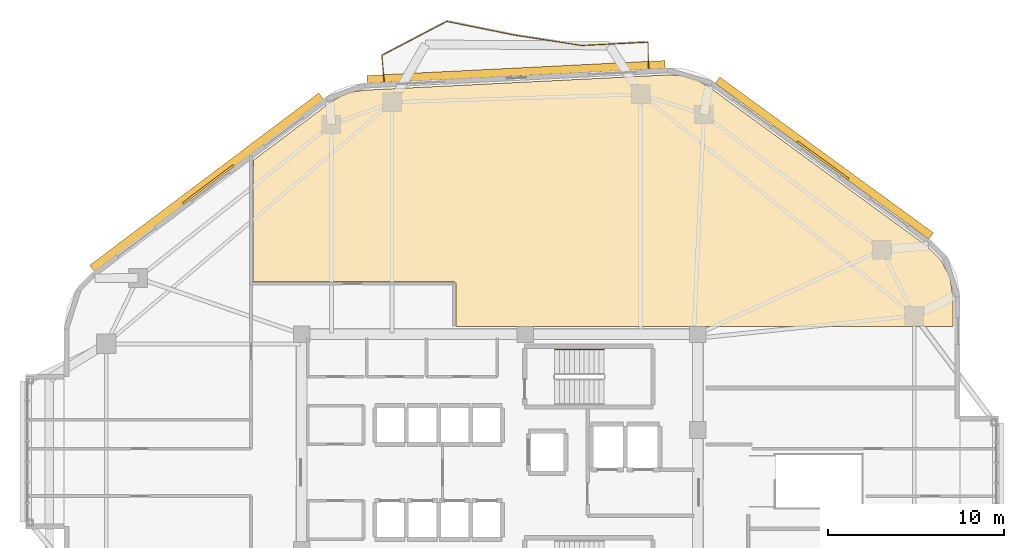
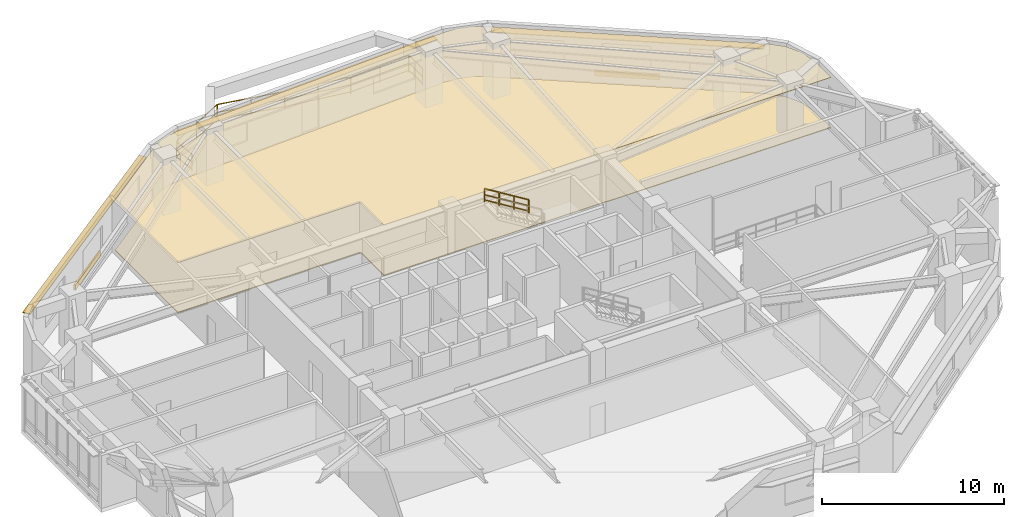
# One storey, part 14 of 14: 7 railings, 5 shading devices, 2 coverings.
"""IFC4 building model written with IfcOpenShell, lengths in metres."""

from ifc_helpers import new_model, si_unit, direction, frame, origin, origin_2d, place, context, subcontext, project, spatial, polyline, rectangle, outline, extrude, material, layer, layer_set, type_object, element, save


model = new_model("IFC4")

# Units and contexts
model_context = context("Model", 3, precision=1e-05, world=origin(), true_north=direction((0.0, 1.0)))
body_context = subcontext(model_context, "Body", "Model", "MODEL_VIEW")
ifc_project = project(units=[si_unit("LENGTHUNIT", "METRE"), si_unit("AREAUNIT", "SQUARE_METRE"), si_unit("VOLUMEUNIT", "CUBIC_METRE"), si_unit("PLANEANGLEUNIT", "RADIAN"), si_unit("MASSUNIT", "GRAM", prefix="KILO")], contexts=[model_context])

# Site, building, storey
site_placement = place(None, origin())
site = spatial("IfcSite", under=ifc_project, at=site_placement, CompositionType="ELEMENT")
building_placement = place(site_placement, origin())
building = spatial("IfcBuilding", under=site, at=building_placement, Name="Zulverin Broadcast Headquarters", CompositionType="ELEMENT")
storey_placement = place(building_placement, frame((0.0, 0.0, 128.800048828125)))
storey = spatial("IfcBuildingStorey", under=building, at=storey_placement, Name="L32", CompositionType="ELEMENT", Elevation=128.800048828125)

# Coverings
ifc_material_1 = material(Name="Perforated pale-metal acoustic baffle ceiling", Category="aluminium")
ifc_layer_1 = layer(ifc_material_1, 0.0400390625, Name="Perforated pale-metal acoustic baffle ceiling", Category="aluminium")
ifc_layer_set_1 = layer_set([ifc_layer_1], Name="Perforated pale-metal acoustic baffle ceiling")
covering_type_1 = type_object("IfcCoveringType", Name="COV-CEIL-ACOU", PredefinedType="CEILING", material=ifc_layer_set_1)
covering_1_placement = place(storey_placement, frame((0.0, 0.0, 3.35986328125)))
element("IfcCovering", 1, at=covering_1_placement, inside=storey, type_object=covering_type_1, Name="L32 Acoustic Baffle Ceiling 01", PredefinedType="CEILING", context=body_context, shape_type="SweptSolid", body=[
    extrude(outline(polyline([(27.951904296875, 46.6201171875), (27.343994140625, 46.251953125), (22.971923828125, 42.964111328125), (22.968017578125, 36.072021484375), (34.360107421875, 36.068115234375), (34.3759765625, 36.068115234375), (34.387939453125, 36.068115234375), (34.39990234375, 36.06396484375), (34.407958984375, 36.06396484375), (34.419921875, 36.06005859375), (34.427978515625, 36.055908203125), (34.43603515625, 36.052001953125), (34.447998046875, 36.0439453125), (34.4599609375, 36.035888671875), (34.468017578125, 36.028076171875), (34.47607421875, 36.02001953125), (34.48388671875, 36.011962890625), (34.491943359375, 36.0), (34.5, 35.988037109375), (34.50390625, 35.97998046875), (34.508056640625, 35.971923828125), (34.511962890625, 35.964111328125), (34.51611328125, 35.951904296875), (34.51611328125, 35.944091796875), (34.52001953125, 35.931884765625), (34.52001953125, 35.919921875), (34.52001953125, 33.52001953125), (48.568115234375, 33.52001953125), (48.580078125, 33.52001953125), (48.592041015625, 33.51611328125), (48.60009765625, 33.51611328125), (48.612060546875, 33.511962890625), (48.6201171875, 33.508056640625), (48.635986328125, 33.5), (62.800048828125, 33.5), (62.800048828125, 35.199951171875), (62.6240234375, 36.30810546875), (62.1279296875, 37.280029296875), (61.3359375, 38.075927734375), (48.904052734375, 47.14794921875), (48.196044921875, 47.552001953125), (47.43603515625, 47.77587890625), (46.6240234375, 47.83203125), (29.30810546875, 46.9599609375), (28.60009765625, 46.85595703125), (27.951904296875, 46.6201171875)])), origin(), (0.0, 0.0, 1.0), 0.0400390625),
])
ifc_material_2 = material(Name="Anti-static broadcast raised access flooring", Category="stone")
ifc_layer_2 = layer(ifc_material_2, 0.050048828125, Name="Anti-static broadcast raised access flooring", Category="stone")
ifc_layer_set_2 = layer_set([ifc_layer_2], Name="Anti-static broadcast raised access flooring")
covering_type_2 = type_object("IfcCoveringType", Name="COV-FLR-RAISED", PredefinedType="FLOORING", material=ifc_layer_set_2)
covering_2_placement = place(storey_placement, origin())
element("IfcCovering", 2, at=covering_2_placement, inside=storey, type_object=covering_type_2, Name="L32 Broadcast Raised Access Flooring 01", PredefinedType="FLOORING", context=body_context, shape_type="SweptSolid", body=[
    extrude(outline(polyline([(27.951904296875, 46.6201171875), (27.343994140625, 46.251953125), (22.971923828125, 42.964111328125), (22.968017578125, 36.072021484375), (34.360107421875, 36.068115234375), (34.3759765625, 36.068115234375), (34.387939453125, 36.068115234375), (34.39990234375, 36.06396484375), (34.407958984375, 36.06396484375), (34.419921875, 36.06005859375), (34.427978515625, 36.055908203125), (34.43603515625, 36.052001953125), (34.447998046875, 36.0439453125), (34.4599609375, 36.035888671875), (34.468017578125, 36.028076171875), (34.47607421875, 36.02001953125), (34.48388671875, 36.011962890625), (34.491943359375, 36.0), (34.5, 35.988037109375), (34.50390625, 35.97998046875), (34.508056640625, 35.971923828125), (34.511962890625, 35.964111328125), (34.51611328125, 35.951904296875), (34.51611328125, 35.944091796875), (34.52001953125, 35.931884765625), (34.52001953125, 35.919921875), (34.52001953125, 33.52001953125), (48.568115234375, 33.52001953125), (48.580078125, 33.52001953125), (48.592041015625, 33.51611328125), (48.60009765625, 33.51611328125), (48.612060546875, 33.511962890625), (48.6201171875, 33.508056640625), (48.635986328125, 33.5), (62.800048828125, 33.5), (62.800048828125, 35.199951171875), (62.6240234375, 36.30810546875), (62.1279296875, 37.280029296875), (61.3359375, 38.075927734375), (48.904052734375, 47.14794921875), (48.196044921875, 47.552001953125), (47.43603515625, 47.77587890625), (46.6240234375, 47.83203125), (29.30810546875, 46.9599609375), (28.60009765625, 46.85595703125), (27.951904296875, 46.6201171875)])), origin(), (0.0, 0.0, 1.0), 0.050048828125),
])

# Railings
ifc_material_3 = material(Name="Brushed stainless steel & laminated glass balustrade", Category="steel")
railing_type_1 = type_object("IfcRailingType", Name="RL-GUARD-1150", PredefinedType="GUARDRAIL", material=ifc_material_3)
railing_1_placement = place(storey_placement, frame((45.464599609375, 48.212646484375, 0.0)))
element("IfcRailing", 3, at=railing_1_placement, inside=storey, type_object=railing_type_1, Name="L32 Vertical-Forest Balcony Guardrail BAL_N Segment 01", PredefinedType="GUARDRAIL", context=body_context, shape_type="SweptSolid", body=[
    extrude(rectangle(XDim=0.048095703125, YDim=0.048095703125, at=origin_2d()), frame((0.0, 0.0, 1.1259765625), z_axis=(-0.009658167329, 0.999953358814, 0.0), x_axis=(-0.999953358814, -0.009658167329, 0.0)), (0.0, 0.0, 1.0), 1.466064453125),
    extrude(rectangle(XDim=0.0419921875, YDim=0.0419921875, at=origin_2d()), frame((0.0, 0.0, 0.597900390625), z_axis=(-0.009658167329, 0.999953358814, 0.0), x_axis=(-0.999953358814, -0.009658167329, 0.0)), (0.0, 0.0, 1.0), 1.466064453125),
    extrude(rectangle(XDim=0.0419921875, YDim=0.0419921875, at=origin_2d()), frame((0.0, 0.0, 0.1201171875), z_axis=(-0.009658167329, 0.999953358814, 0.0), x_axis=(-0.999953358814, -0.009658167329, 0.0)), (0.0, 0.0, 1.0), 1.466064453125),
    extrude(rectangle(XDim=0.0419921875, YDim=0.0419921875, at=origin_2d()), origin(), (0.0, 0.0, 1.0), 1.101806640625),
    extrude(rectangle(XDim=0.0419921875, YDim=0.0419921875, at=origin_2d()), frame((-0.01416015625, 1.466064453125, 0.0)), (0.0, 0.0, 1.0), 1.101806640625),
])
railing_2_placement = place(storey_placement, frame((45.435302734375, 49.693115234375, 0.0)))
element("IfcRailing", 4, at=railing_2_placement, inside=storey, type_object=railing_type_1, Name="L32 Vertical-Forest Balcony Guardrail BAL_N Segment 02", PredefinedType="GUARDRAIL", context=body_context, shape_type="SweptSolid", body=[
    extrude(rectangle(XDim=0.048095703125, YDim=0.048095703125, at=origin_2d()), frame((0.0, 0.0, 1.1259765625), z_axis=(-0.998743105092, -0.050121951583, 0.0), x_axis=(0.050121951583, -0.998743105092, 0.0)), (0.0, 0.0, 1.0), 3.76513671875),
    extrude(rectangle(XDim=0.0419921875, YDim=0.0419921875, at=origin_2d()), frame((0.0, 0.0, 0.597900390625), z_axis=(-0.998743105092, -0.050121951583, 0.0), x_axis=(0.050121951583, -0.998743105092, 0.0)), (0.0, 0.0, 1.0), 3.76513671875),
    extrude(rectangle(XDim=0.0419921875, YDim=0.0419921875, at=origin_2d()), frame((0.0, 0.0, 0.1201171875), z_axis=(-0.998743105092, -0.050121951583, 0.0), x_axis=(0.050121951583, -0.998743105092, 0.0)), (0.0, 0.0, 1.0), 3.76513671875),
    extrude(rectangle(XDim=0.0419921875, YDim=0.0419921875, at=origin_2d()), origin(), (0.0, 0.0, 1.0), 1.101806640625),
    extrude(rectangle(XDim=0.0419921875, YDim=0.0419921875, at=origin_2d()), frame((-1.88037109375, -0.09423828125, 0.0)), (0.0, 0.0, 1.0), 1.101806640625),
    extrude(rectangle(XDim=0.0419921875, YDim=0.0419921875, at=origin_2d()), frame((-3.760498046875, -0.188720703125, 0.0)), (0.0, 0.0, 1.0), 1.101806640625),
])
railing_3_placement = place(storey_placement, frame((41.64501953125, 49.505859375, 0.0)))
element("IfcRailing", 5, at=railing_3_placement, inside=storey, type_object=railing_type_1, Name="L32 Vertical-Forest Balcony Guardrail BAL_N Segment 03", PredefinedType="GUARDRAIL", context=body_context, shape_type="SweptSolid", body=[
    extrude(rectangle(XDim=0.048095703125, YDim=0.048095703125, at=origin_2d()), frame((0.0, 0.0, 1.1259765625), z_axis=(-0.988198600876, 0.153178083376, 0.0), x_axis=(-0.153178083376, -0.988198600876, 0.0)), (0.0, 0.0, 1.0), 3.845947265625),
    extrude(rectangle(XDim=0.0419921875, YDim=0.0419921875, at=origin_2d()), frame((0.0, 0.0, 0.597900390625), z_axis=(-0.988198600876, 0.153178083376, 0.0), x_axis=(-0.153178083376, -0.988198600876, 0.0)), (0.0, 0.0, 1.0), 3.845947265625),
    extrude(rectangle(XDim=0.0419921875, YDim=0.0419921875, at=origin_2d()), frame((0.0, 0.0, 0.1201171875), z_axis=(-0.988198600876, 0.153178083376, 0.0), x_axis=(-0.153178083376, -0.988198600876, 0.0)), (0.0, 0.0, 1.0), 3.845947265625),
    extrude(rectangle(XDim=0.0419921875, YDim=0.0419921875, at=origin_2d()), origin(), (0.0, 0.0, 1.0), 1.101806640625),
    extrude(rectangle(XDim=0.0419921875, YDim=0.0419921875, at=origin_2d()), frame((-1.900390625, 0.29443359375, 0.0)), (0.0, 0.0, 1.0), 1.101806640625),
    extrude(rectangle(XDim=0.0419921875, YDim=0.0419921875, at=origin_2d()), frame((-3.800537109375, 0.589111328125, 0.0)), (0.0, 0.0, 1.0), 1.101806640625),
])
railing_4_placement = place(storey_placement, frame((37.81494140625, 50.100341796875, 0.0)))
element("IfcRailing", 6, at=railing_4_placement, inside=storey, type_object=railing_type_1, Name="L32 Vertical-Forest Balcony Guardrail BAL_N Segment 04", PredefinedType="GUARDRAIL", context=body_context, shape_type="SweptSolid", body=[
    extrude(rectangle(XDim=0.048095703125, YDim=0.048095703125, at=origin_2d()), frame((0.0, 0.0, 1.1259765625), z_axis=(-0.980094573766, 0.198531172552, 0.0), x_axis=(-0.198531172552, -0.980094573766, 0.0)), (0.0, 0.0, 1.0), 3.88720703125),
    extrude(rectangle(XDim=0.0419921875, YDim=0.0419921875, at=origin_2d()), frame((0.0, 0.0, 0.597900390625), z_axis=(-0.980094573766, 0.198531172552, 0.0), x_axis=(-0.198531172552, -0.980094573766, 0.0)), (0.0, 0.0, 1.0), 3.88720703125),
    extrude(rectangle(XDim=0.0419921875, YDim=0.0419921875, at=origin_2d()), frame((0.0, 0.0, 0.1201171875), z_axis=(-0.980094573766, 0.198531172552, 0.0), x_axis=(-0.198531172552, -0.980094573766, 0.0)), (0.0, 0.0, 1.0), 3.88720703125),
    extrude(rectangle(XDim=0.0419921875, YDim=0.0419921875, at=origin_2d()), origin(), (0.0, 0.0, 1.0), 1.101806640625),
    extrude(rectangle(XDim=0.0419921875, YDim=0.0419921875, at=origin_2d()), frame((-1.90478515625, 0.3857421875, 0.0)), (0.0, 0.0, 1.0), 1.101806640625),
    extrude(rectangle(XDim=0.0419921875, YDim=0.0419921875, at=origin_2d()), frame((-3.809814453125, 0.771728515625, 0.0)), (0.0, 0.0, 1.0), 1.101806640625),
])
railing_5_placement = place(storey_placement, frame((33.977294921875, 50.867919921875, 0.0)))
element("IfcRailing", 7, at=railing_5_placement, inside=storey, type_object=railing_type_1, Name="L32 Vertical-Forest Balcony Guardrail BAL_N Segment 05", PredefinedType="GUARDRAIL", context=body_context, shape_type="SweptSolid", body=[
    extrude(rectangle(XDim=0.048095703125, YDim=0.048095703125, at=origin_2d()), frame((0.0, 0.0, 1.1259765625), z_axis=(-0.885626540533, -0.464398138136, 0.0), x_axis=(0.464398138136, -0.885626540533, 0.0)), (0.0, 0.0, 1.0), 4.151123046875),
    extrude(rectangle(XDim=0.0419921875, YDim=0.0419921875, at=origin_2d()), frame((0.0, 0.0, 0.597900390625), z_axis=(-0.885626540533, -0.464398138136, 0.0), x_axis=(0.464398138136, -0.885626540533, 0.0)), (0.0, 0.0, 1.0), 4.151123046875),
    extrude(rectangle(XDim=0.0419921875, YDim=0.0419921875, at=origin_2d()), frame((0.0, 0.0, 0.1201171875), z_axis=(-0.885626540533, -0.464398138136, 0.0), x_axis=(0.464398138136, -0.885626540533, 0.0)), (0.0, 0.0, 1.0), 4.151123046875),
    extrude(rectangle(XDim=0.0419921875, YDim=0.0419921875, at=origin_2d()), origin(), (0.0, 0.0, 1.0), 1.101806640625),
    extrude(rectangle(XDim=0.0419921875, YDim=0.0419921875, at=origin_2d()), frame((-1.838134765625, -0.9638671875, 0.0)), (0.0, 0.0, 1.0), 1.101806640625),
    extrude(rectangle(XDim=0.0419921875, YDim=0.0419921875, at=origin_2d()), frame((-3.67626953125, -1.927734375, 0.0)), (0.0, 0.0, 1.0), 1.101806640625),
])
railing_6_placement = place(storey_placement, frame((30.289306640625, 48.918212890625, 0.0)))
element("IfcRailing", 8, at=railing_6_placement, inside=storey, type_object=railing_type_1, Name="L32 Vertical-Forest Balcony Guardrail BAL_N Segment 06", PredefinedType="GUARDRAIL", context=body_context, shape_type="SweptSolid", body=[
    extrude(rectangle(XDim=0.048095703125, YDim=0.048095703125, at=origin_2d()), frame((0.0, 0.0, 1.1259765625), z_axis=(0.090415638869, -0.995904117999, 0.0), x_axis=(0.995904117999, 0.090415638869, 0.0)), (0.0, 0.0, 1.0), 1.46630859375),
    extrude(rectangle(XDim=0.0419921875, YDim=0.0419921875, at=origin_2d()), frame((0.0, 0.0, 0.597900390625), z_axis=(0.090415638869, -0.995904117999, 0.0), x_axis=(0.995904117999, 0.090415638869, 0.0)), (0.0, 0.0, 1.0), 1.46630859375),
    extrude(rectangle(XDim=0.0419921875, YDim=0.0419921875, at=origin_2d()), frame((0.0, 0.0, 0.1201171875), z_axis=(0.090415638869, -0.995904117999, 0.0), x_axis=(0.995904117999, 0.090415638869, 0.0)), (0.0, 0.0, 1.0), 1.46630859375),
    extrude(rectangle(XDim=0.0419921875, YDim=0.0419921875, at=origin_2d()), origin(), (0.0, 0.0, 1.0), 1.101806640625),
    extrude(rectangle(XDim=0.0419921875, YDim=0.0419921875, at=origin_2d()), frame((0.132568359375, -1.460205078125, 0.0)), (0.0, 0.0, 1.0), 1.101806640625),
])
ifc_material_4 = material(Name="Brushed stainless steel 48 mm handrail", Category="steel")
railing_type_2 = type_object("IfcRailingType", Name="RL-ST-HAND", PredefinedType="HANDRAIL", material=ifc_material_4)
railing_7_placement = place(storey_placement, frame((42.929931640625, 32.199951171875, 2.07275390625)))
element("IfcRailing", 9, at=railing_7_placement, inside=storey, type_object=railing_type_2, Name="L32 ST-1 stair handrail 2", PredefinedType="HANDRAIL", context=body_context, shape_type="SweptSolid", body=[
    extrude(rectangle(XDim=0.048095703125, YDim=0.048095703125, at=origin_2d()), frame((0.0, 0.0, 0.8759765625), z_axis=(-0.851089632645, 0.0, 0.525020415988), x_axis=(0.0, -1.0, 0.0)), (0.0, 0.0, 1.0), 3.2900390625),
    extrude(rectangle(XDim=0.0419921875, YDim=0.0419921875, at=origin_2d()), frame((0.0, 0.0, 0.468017578125), z_axis=(-0.851089632645, 0.0, 0.525020415988), x_axis=(0.0, -1.0, 0.0)), (0.0, 0.0, 1.0), 3.2900390625),
    extrude(rectangle(XDim=0.0419921875, YDim=0.0419921875, at=origin_2d()), frame((0.0, 0.0, 0.1201171875), z_axis=(-0.851089632645, 0.0, 0.525020415988), x_axis=(0.0, -1.0, 0.0)), (0.0, 0.0, 1.0), 3.2900390625),
    extrude(rectangle(XDim=0.0419921875, YDim=0.0419921875, at=origin_2d()), origin(), (0.0, 0.0, 1.0), 0.851806640625),
    extrude(rectangle(XDim=0.0419921875, YDim=0.0419921875, at=origin_2d()), frame((-0.933349609375, 0.0, 0.57568359375)), (0.0, 0.0, 1.0), 0.851806640625),
    extrude(rectangle(XDim=0.0419921875, YDim=0.0419921875, at=origin_2d()), frame((-1.86669921875, 0.0, 1.151611328125)), (0.0, 0.0, 1.0), 0.851806640625),
    extrude(rectangle(XDim=0.0419921875, YDim=0.0419921875, at=origin_2d()), frame((-2.800048828125, 0.0, 1.727294921875)), (0.0, 0.0, 1.0), 0.851806640625),
])

# Shading devices
ifc_material_5 = material(Name="Anodized pale-metal aluminium acoustic louvre", Category="aluminium")
shading_device_type_1 = type_object("IfcShadingDeviceType", Name="SHD-LOUVRE-350", PredefinedType="USERDEFINED", material=ifc_material_5)
for number, where, z_axis, x_axis, name in (
    (10, (55.382568359375, 42.965576171875, 0.244873046875), (0.0, 0.0, 1.0), (-0.807814001495, 0.589437476742, 0.0), "L32 Spandrel Intake Louvre 4"),
    (11, (20.41259765625, 41.591064453125, 0.244873046875), (0.0, 0.0, 1.0), (-0.799275780179, -0.60096441427, 0.0), "L32 Spandrel Intake Louvre 6"),
):
    element("IfcShadingDevice", number, at=place(storey_placement, frame(where, z_axis=z_axis, x_axis=x_axis)), inside=storey, type_object=shading_device_type_1, Name=name, ObjectType="LOUVRE", PredefinedType="USERDEFINED", context=body_context, shape_type="SweptSolid", body=[
        extrude(rectangle(XDim=3.60009765625, YDim=0.1201171875, at=origin_2d()), origin(), (0.0, 0.0, 1.0), 0.35009765625),
    ])
ifc_material_6 = material(Name="Anodized pale-metal aluminium sunshade", Category="aluminium")
ifc_layer_3 = layer(ifc_material_6, 0.06005859375, Name="Anodized pale-metal aluminium sunshade", Category="aluminium")
ifc_layer_set_3 = layer_set([ifc_layer_3], Name="Anodized pale-metal aluminium sunshade")
shading_device_type_2 = type_object("IfcShadingDeviceType", Name="SS-01_PALE_METAL_ALUMINIUM_SUNSHADE", PredefinedType="USERDEFINED", material=ifc_layer_set_3)
shading_device_1_placement = place(storey_placement, frame((55.476806640625, 43.0947265625, 2.7099609375), z_axis=(0.0, 0.0, 1.0), x_axis=(-0.807814001495, 0.589437476742, 0.0)))
element("IfcShadingDevice", 12, at=shading_device_1_placement, inside=storey, type_object=shading_device_type_2, Name="L32 Horizontal Pale-Metal Sunshade Band 4", ObjectType="SUNSHADE", PredefinedType="USERDEFINED", context=body_context, shape_type="SweptSolid", body=[
    extrude(rectangle(XDim=15.048583984375, YDim=0.449951171875, at=origin_2d()), origin(), (0.0, 0.0, 1.0), 0.06005859375),
])
shading_device_2_placement = place(storey_placement, frame((37.935302734375, 47.9951171875, 2.7099609375), z_axis=(0.0, 0.0, 1.0), x_axis=(-0.998743962301, -0.050104867704, 0.0)))
element("IfcShadingDevice", 13, at=shading_device_2_placement, inside=storey, type_object=shading_device_type_2, Name="L32 Horizontal Pale-Metal Sunshade Band 5", ObjectType="SUNSHADE", PredefinedType="USERDEFINED", context=body_context, shape_type="SweptSolid", body=[
    extrude(rectangle(XDim=16.981689453125, YDim=0.449951171875, at=origin_2d()), origin(), (0.0, 0.0, 1.0), 0.06005859375),
])
shading_device_3_placement = place(storey_placement, frame((20.31640625, 41.718994140625, 2.7099609375), z_axis=(0.0, 0.0, 1.0), x_axis=(-0.799275780179, -0.60096441427, 0.0)))
element("IfcShadingDevice", 14, at=shading_device_3_placement, inside=storey, type_object=shading_device_type_2, Name="L32 Horizontal Pale-Metal Sunshade Band 6", ObjectType="SUNSHADE", PredefinedType="USERDEFINED", context=body_context, shape_type="SweptSolid", body=[
    extrude(rectangle(XDim=16.316162109375, YDim=0.449951171875, at=origin_2d()), origin(), (0.0, 0.0, 1.0), 0.06005859375),
])

save(model, "model.ifc")
